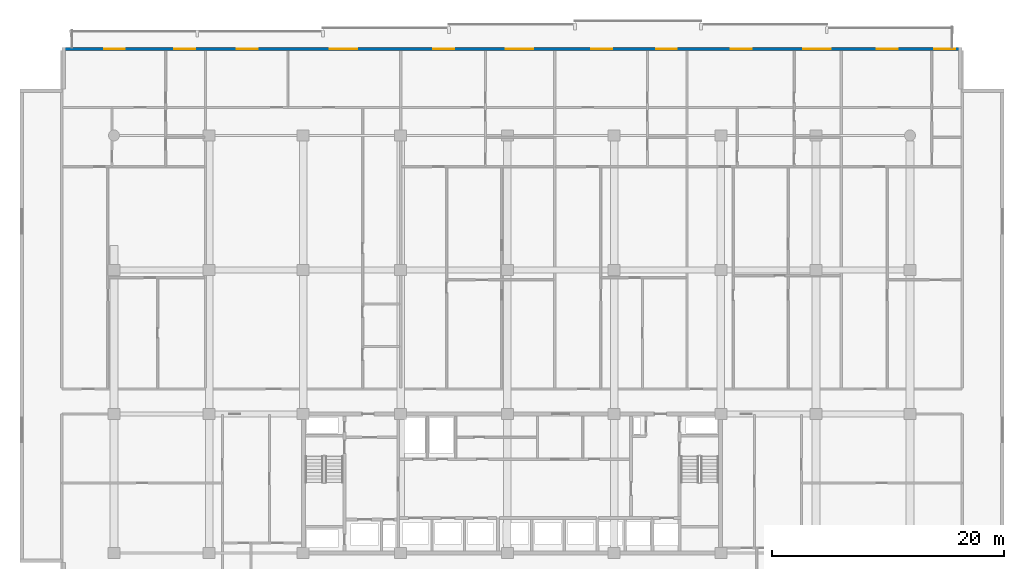
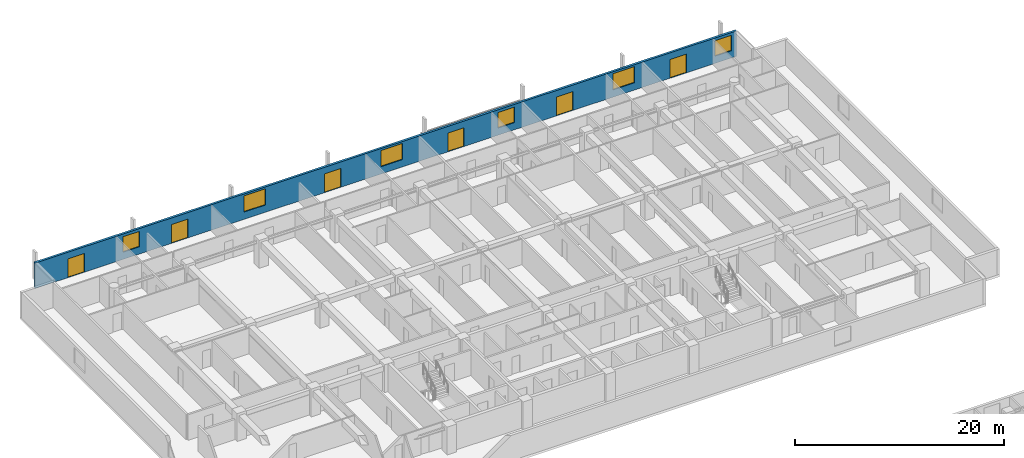
# One storey, part 16 of 23: 6 doors, 6 windows, 1 wall, 12 openings.
"""IFC4 building model written with IfcOpenShell, lengths in metres."""

from ifc_helpers import new_model, si_unit, direction, frame, frame_2d, origin, place, context, subcontext, project, spatial, rectangle, extrude, material, layer, layer_set, type_object, element, fill, save


model = new_model("IFC4")

# Units and contexts
model_context = context("Model", 3, precision=1e-05, world=origin(), true_north=direction((0.0, 1.0)))
body_context = subcontext(model_context, "Body", "Model", "MODEL_VIEW")
ifc_project = project(units=[si_unit("LENGTHUNIT", "METRE"), si_unit("AREAUNIT", "SQUARE_METRE"), si_unit("VOLUMEUNIT", "CUBIC_METRE"), si_unit("PLANEANGLEUNIT", "RADIAN"), si_unit("MASSUNIT", "GRAM", prefix="KILO")], contexts=[model_context])

# Site, building, storey
site_placement = place(None, origin())
site = spatial("IfcSite", under=ifc_project, at=site_placement, CompositionType="ELEMENT")
building_placement = place(site_placement, origin())
building = spatial("IfcBuilding", under=site, at=building_placement, Name="Korimba Cascade Residences", CompositionType="ELEMENT")
storey_placement = place(building_placement, frame((0.0, 0.0, 33.75)))
storey = spatial("IfcBuildingStorey", under=building, at=storey_placement, Name="L08", CompositionType="ELEMENT", Elevation=33.75)

# Wall, openings, doors, windows
ifc_material_1 = material(Name="Precast concrete C40/50", Category="concrete")
ifc_layer = layer(ifc_material_1, 0.25)
ifc_layer_set = layer_set([ifc_layer], Name="Precast concrete C40/50")
wall_type = type_object("IfcWallType", Name="EW-LOG-250", PredefinedType="STANDARD", material=ifc_layer_set)
wall_placement = place(storey_placement, frame((132.89990234375, 98.64990234375, 0.0), z_axis=(0.0, 0.0, 1.0), x_axis=(-1.0, 0.0, 0.0)))
wall = element("IfcWall", 1, at=wall_placement, inside=storey, type_object=wall_type, Name="L08 T1 Perimeter Stone Wall E06", PredefinedType="STANDARD", context=body_context, shape_type="SweptSolid", body=[
    extrude(rectangle(XDim=77.599853515625, YDim=0.25, at=frame_2d((38.7998046875, 0.0))), origin(), (0.0, 0.0, 1.0), 2.969970703125),
])
opening_1_placement = place(wall_placement, frame((72.159912109375, 0.0, 0.0)))
opening_1 = element("IfcOpeningElement", 2, at=opening_1_placement, cuts=wall, Name="Opening D-LG1", PredefinedType="OPENING", context=body_context, shape_type="SweptSolid", body=[
    extrude(rectangle(XDim=1.800048828125, YDim=2.199951171875, at=frame_2d((0.89990234375, 1.10009765625))), frame((0.0, 0.135009765625, 0.0), z_axis=(0.0, -1.0, 0.0), x_axis=(1.0, 0.0, 0.0)), (0.0, 0.0, 1.0), 0.27001953125),
])
opening_2_placement = place(wall_placement, frame((66.08984375, 0.0, 0.85009765625)))
opening_2 = element("IfcOpeningElement", 3, at=opening_2_placement, cuts=wall, Name="Opening W-02", PredefinedType="OPENING", context=body_context, shape_type="SweptSolid", body=[
    extrude(rectangle(XDim=1.800048828125, YDim=1.800048828125, at=frame_2d((0.89990234375, 0.89990234375))), frame((0.0, 0.135009765625, 0.0), z_axis=(0.0, -1.0, 0.0), x_axis=(1.0, 0.0, 0.0)), (0.0, 0.0, 1.0), 0.27001953125),
])
opening_3_placement = place(wall_placement, frame((60.70751953125, 0.0, 0.0)))
opening_3 = element("IfcOpeningElement", 4, at=opening_3_placement, cuts=wall, Name="Opening D-LG1", PredefinedType="OPENING", context=body_context, shape_type="SweptSolid", body=[
    extrude(rectangle(XDim=1.800048828125, YDim=2.199951171875, at=frame_2d((0.89990234375, 1.10009765625))), frame((0.0, 0.135009765625, 0.0), z_axis=(0.0, -1.0, 0.0), x_axis=(1.0, 0.0, 0.0)), (0.0, 0.0, 1.0), 0.27001953125),
])
opening_4_placement = place(wall_placement, frame((52.117919921875, 0.0, 0.85009765625)))
opening_4 = element("IfcOpeningElement", 5, at=opening_4_placement, cuts=wall, Name="Opening W-01", PredefinedType="OPENING", context=body_context, shape_type="SweptSolid", body=[
    extrude(rectangle(XDim=2.39990234375, YDim=1.89990234375, at=frame_2d((1.199951171875, 0.949951171875))), frame((0.0, 0.135009765625, 0.0), z_axis=(0.0, -1.0, 0.0), x_axis=(1.0, 0.0, 0.0)), (0.0, 0.0, 1.0), 0.27001953125),
])
opening_5_placement = place(wall_placement, frame((43.7802734375, 0.0, 0.0)))
opening_5 = element("IfcOpeningElement", 6, at=opening_5_placement, cuts=wall, Name="Opening D-LG1", PredefinedType="OPENING", context=body_context, shape_type="SweptSolid", body=[
    extrude(rectangle(XDim=1.800048828125, YDim=2.199951171875, at=frame_2d((0.89990234375, 1.10009765625))), frame((0.0, 0.135009765625, 0.0), z_axis=(0.0, -1.0, 0.0), x_axis=(1.0, 0.0, 0.0)), (0.0, 0.0, 1.0), 0.27001953125),
])
opening_6_placement = place(wall_placement, frame((36.958984375, 0.0, 0.85009765625)))
opening_6 = element("IfcOpeningElement", 7, at=opening_6_placement, cuts=wall, Name="Opening W-01", PredefinedType="OPENING", context=body_context, shape_type="SweptSolid", body=[
    extrude(rectangle(XDim=2.39990234375, YDim=1.89990234375, at=frame_2d((1.199951171875, 0.949951171875))), frame((0.0, 0.135009765625, 0.0), z_axis=(0.0, -1.0, 0.0), x_axis=(1.0, 0.0, 0.0)), (0.0, 0.0, 1.0), 0.27001953125),
])
opening_7_placement = place(wall_placement, frame((30.165283203125, 0.0, 0.0)))
opening_7 = element("IfcOpeningElement", 8, at=opening_7_placement, cuts=wall, Name="Opening D-LG1", PredefinedType="OPENING", context=body_context, shape_type="SweptSolid", body=[
    extrude(rectangle(XDim=1.800048828125, YDim=2.199951171875, at=frame_2d((0.89990234375, 1.10009765625))), frame((0.0, 0.135009765625, 0.0), z_axis=(0.0, -1.0, 0.0), x_axis=(1.0, 0.0, 0.0)), (0.0, 0.0, 1.0), 0.27001953125),
])
opening_8_placement = place(wall_placement, frame((24.582763671875, 0.0, 0.85009765625)))
opening_8 = element("IfcOpeningElement", 9, at=opening_8_placement, cuts=wall, Name="Opening W-02", PredefinedType="OPENING", context=body_context, shape_type="SweptSolid", body=[
    extrude(rectangle(XDim=1.800048828125, YDim=1.800048828125, at=frame_2d((0.89990234375, 0.89990234375))), frame((0.0, 0.135009765625, 0.0), z_axis=(0.0, -1.0, 0.0), x_axis=(1.0, 0.0, 0.0)), (0.0, 0.0, 1.0), 0.27001953125),
])
opening_9_placement = place(wall_placement, frame((18.136474609375, 0.0, 0.0)))
opening_9 = element("IfcOpeningElement", 10, at=opening_9_placement, cuts=wall, Name="Opening D-LG1", PredefinedType="OPENING", context=body_context, shape_type="SweptSolid", body=[
    extrude(rectangle(XDim=1.800048828125, YDim=2.199951171875, at=frame_2d((0.89990234375, 1.10009765625))), frame((0.0, 0.135009765625, 0.0), z_axis=(0.0, -1.0, 0.0), x_axis=(1.0, 0.0, 0.0)), (0.0, 0.0, 1.0), 0.27001953125),
])
opening_10_placement = place(wall_placement, frame((11.315185546875, 0.0, 0.85009765625)))
opening_10 = element("IfcOpeningElement", 11, at=opening_10_placement, cuts=wall, Name="Opening W-01", PredefinedType="OPENING", context=body_context, shape_type="SweptSolid", body=[
    extrude(rectangle(XDim=2.39990234375, YDim=1.89990234375, at=frame_2d((1.199951171875, 0.949951171875))), frame((0.0, 0.135009765625, 0.0), z_axis=(0.0, -1.0, 0.0), x_axis=(1.0, 0.0, 0.0)), (0.0, 0.0, 1.0), 0.27001953125),
])
opening_11_placement = place(wall_placement, frame((5.565185546875, 0.0, 0.0)))
opening_11 = element("IfcOpeningElement", 12, at=opening_11_placement, cuts=wall, Name="Opening D-LG1", PredefinedType="OPENING", context=body_context, shape_type="SweptSolid", body=[
    extrude(rectangle(XDim=1.800048828125, YDim=2.199951171875, at=frame_2d((0.89990234375, 1.10009765625))), frame((0.0, 0.135009765625, 0.0), z_axis=(0.0, -1.0, 0.0), x_axis=(1.0, 0.0, 0.0)), (0.0, 0.0, 1.0), 0.27001953125),
])
opening_12_placement = place(wall_placement, frame((0.60009765625, 0.0, 0.85009765625)))
opening_12 = element("IfcOpeningElement", 13, at=opening_12_placement, cuts=wall, Name="Opening W-02", PredefinedType="OPENING", context=body_context, shape_type="SweptSolid", body=[
    extrude(rectangle(XDim=1.800048828125, YDim=1.800048828125, at=frame_2d((0.89990234375, 0.89990234375))), frame((0.0, 0.135009765625, 0.0), z_axis=(0.0, -1.0, 0.0), x_axis=(1.0, 0.0, 0.0)), (0.0, 0.0, 1.0), 0.27001953125),
])
ifc_material_2 = material(Name="Glazed Aluminium Loggia Sliding Door", Category="aluminium")
door_type = type_object("IfcDoorType", Name="DR-EXT-LOG", OperationType="NOTDEFINED", PredefinedType="DOOR", material=ifc_material_2)
door_1_placement = place(opening_1_placement, origin())
door_1 = element("IfcDoor", 14, at=door_1_placement, inside=storey, type_object=door_type, Name="L08 T1 Loggia Sliding Door 3", OperationType="SLIDING_TO_LEFT", OverallHeight=2.199951171875, OverallWidth=1.800048828125, PredefinedType="DOOR", context=body_context, shape_type="SweptSolid", body=[
    extrude(rectangle(XDim=1.800048828125, YDim=2.199951171875, at=frame_2d((0.89990234375, 1.10009765625))), frame((0.0, 0.02490234375, 0.0), z_axis=(0.0, -1.0, 0.0), x_axis=(1.0, 0.0, 0.0)), (0.0, 0.0, 1.0), 0.050048828125),
])
fill(opening_1, door_1)
door_2_placement = place(opening_3_placement, origin())
door_2 = element("IfcDoor", 15, at=door_2_placement, inside=storey, type_object=door_type, Name="L08 T1 Loggia Sliding Door 5", OperationType="SLIDING_TO_LEFT", OverallHeight=2.199951171875, OverallWidth=1.800048828125, PredefinedType="DOOR", context=body_context, shape_type="SweptSolid", body=[
    extrude(rectangle(XDim=1.800048828125, YDim=2.199951171875, at=frame_2d((0.89990234375, 1.10009765625))), frame((0.0, 0.02490234375, 0.0), z_axis=(0.0, -1.0, 0.0), x_axis=(1.0, 0.0, 0.0)), (0.0, 0.0, 1.0), 0.050048828125),
])
fill(opening_3, door_2)
door_3_placement = place(opening_5_placement, origin())
door_3 = element("IfcDoor", 16, at=door_3_placement, inside=storey, type_object=door_type, Name="L08 T1 Loggia Sliding Door 7", OperationType="SLIDING_TO_LEFT", OverallHeight=2.199951171875, OverallWidth=1.800048828125, PredefinedType="DOOR", context=body_context, shape_type="SweptSolid", body=[
    extrude(rectangle(XDim=1.800048828125, YDim=2.199951171875, at=frame_2d((0.89990234375, 1.10009765625))), frame((0.0, 0.02490234375, 0.0), z_axis=(0.0, -1.0, 0.0), x_axis=(1.0, 0.0, 0.0)), (0.0, 0.0, 1.0), 0.050048828125),
])
fill(opening_5, door_3)
door_4_placement = place(opening_7_placement, origin())
door_4 = element("IfcDoor", 17, at=door_4_placement, inside=storey, type_object=door_type, Name="L08 T1 Loggia Sliding Door 9", OperationType="SLIDING_TO_LEFT", OverallHeight=2.199951171875, OverallWidth=1.800048828125, PredefinedType="DOOR", context=body_context, shape_type="SweptSolid", body=[
    extrude(rectangle(XDim=1.800048828125, YDim=2.199951171875, at=frame_2d((0.89990234375, 1.10009765625))), frame((0.0, 0.02490234375, 0.0), z_axis=(0.0, -1.0, 0.0), x_axis=(1.0, 0.0, 0.0)), (0.0, 0.0, 1.0), 0.050048828125),
])
fill(opening_7, door_4)
door_5_placement = place(opening_9_placement, origin())
door_5 = element("IfcDoor", 18, at=door_5_placement, inside=storey, type_object=door_type, Name="L08 T1 Loggia Sliding Door 11", OperationType="SLIDING_TO_LEFT", OverallHeight=2.199951171875, OverallWidth=1.800048828125, PredefinedType="DOOR", context=body_context, shape_type="SweptSolid", body=[
    extrude(rectangle(XDim=1.800048828125, YDim=2.199951171875, at=frame_2d((0.89990234375, 1.10009765625))), frame((0.0, 0.02490234375, 0.0), z_axis=(0.0, -1.0, 0.0), x_axis=(1.0, 0.0, 0.0)), (0.0, 0.0, 1.0), 0.050048828125),
])
fill(opening_9, door_5)
door_6_placement = place(opening_11_placement, origin())
door_6 = element("IfcDoor", 19, at=door_6_placement, inside=storey, type_object=door_type, Name="L08 T1 Loggia Sliding Door 13", OperationType="SLIDING_TO_LEFT", OverallHeight=2.199951171875, OverallWidth=1.800048828125, PredefinedType="DOOR", context=body_context, shape_type="SweptSolid", body=[
    extrude(rectangle(XDim=1.800048828125, YDim=2.199951171875, at=frame_2d((0.89990234375, 1.10009765625))), frame((0.0, 0.02490234375, 0.0), z_axis=(0.0, -1.0, 0.0), x_axis=(1.0, 0.0, 0.0)), (0.0, 0.0, 1.0), 0.050048828125),
])
fill(opening_11, door_6)
ifc_material_3 = material(Name="Double-Glazed Aluminium Window", Category="aluminium")
window_type_1 = type_object("IfcWindowType", Name="WIN-BED-1800", PartitioningType="SINGLE_PANEL", PredefinedType="WINDOW", material=ifc_material_3)
window_1_placement = place(opening_2_placement, origin())
window_1 = element("IfcWindow", 20, at=window_1_placement, inside=storey, type_object=window_type_1, Name="L08 T1 North Facade Window 4", OverallHeight=1.800048828125, OverallWidth=1.800048828125, PartitioningType="SINGLE_PANEL", PredefinedType="WINDOW", context=body_context, shape_type="SweptSolid", body=[
    extrude(rectangle(XDim=1.800048828125, YDim=1.800048828125, at=frame_2d((0.89990234375, 0.89990234375))), frame((0.0, 0.030029296875, 0.0), z_axis=(0.0, -1.0, 0.0), x_axis=(1.0, 0.0, 0.0)), (0.0, 0.0, 1.0), 0.06005859375),
])
fill(opening_2, window_1)
window_2_placement = place(opening_8_placement, origin())
window_2 = element("IfcWindow", 21, at=window_2_placement, inside=storey, type_object=window_type_1, Name="L08 T1 North Facade Window 10", OverallHeight=1.800048828125, OverallWidth=1.800048828125, PartitioningType="SINGLE_PANEL", PredefinedType="WINDOW", context=body_context, shape_type="SweptSolid", body=[
    extrude(rectangle(XDim=1.800048828125, YDim=1.800048828125, at=frame_2d((0.89990234375, 0.89990234375))), frame((0.0, 0.030029296875, 0.0), z_axis=(0.0, -1.0, 0.0), x_axis=(1.0, 0.0, 0.0)), (0.0, 0.0, 1.0), 0.06005859375),
])
fill(opening_8, window_2)
window_3_placement = place(opening_12_placement, origin())
window_3 = element("IfcWindow", 22, at=window_3_placement, inside=storey, type_object=window_type_1, Name="L08 T1 North Facade Window 14", OverallHeight=1.800048828125, OverallWidth=1.800048828125, PartitioningType="SINGLE_PANEL", PredefinedType="WINDOW", context=body_context, shape_type="SweptSolid", body=[
    extrude(rectangle(XDim=1.800048828125, YDim=1.800048828125, at=frame_2d((0.89990234375, 0.89990234375))), frame((0.0, 0.030029296875, 0.0), z_axis=(0.0, -1.0, 0.0), x_axis=(1.0, 0.0, 0.0)), (0.0, 0.0, 1.0), 0.06005859375),
])
fill(opening_12, window_3)
window_type_2 = type_object("IfcWindowType", Name="WIN-RES-2400", PartitioningType="DOUBLE_PANEL_VERTICAL", PredefinedType="WINDOW", material=ifc_material_3)
window_4_placement = place(opening_4_placement, origin())
window_4 = element("IfcWindow", 23, at=window_4_placement, inside=storey, type_object=window_type_2, Name="L08 T1 North Facade Window 6", OverallHeight=1.89990234375, OverallWidth=2.39990234375, PartitioningType="DOUBLE_PANEL_VERTICAL", PredefinedType="WINDOW", context=body_context, shape_type="SweptSolid", body=[
    extrude(rectangle(XDim=2.39990234375, YDim=1.89990234375, at=frame_2d((1.199951171875, 0.949951171875))), frame((0.0, 0.030029296875, 0.0), z_axis=(0.0, -1.0, 0.0), x_axis=(1.0, 0.0, 0.0)), (0.0, 0.0, 1.0), 0.06005859375),
])
fill(opening_4, window_4)
window_5_placement = place(opening_6_placement, origin())
window_5 = element("IfcWindow", 24, at=window_5_placement, inside=storey, type_object=window_type_2, Name="L08 T1 North Facade Window 8", OverallHeight=1.89990234375, OverallWidth=2.39990234375, PartitioningType="DOUBLE_PANEL_VERTICAL", PredefinedType="WINDOW", context=body_context, shape_type="SweptSolid", body=[
    extrude(rectangle(XDim=2.39990234375, YDim=1.89990234375, at=frame_2d((1.199951171875, 0.949951171875))), frame((0.0, 0.030029296875, 0.0), z_axis=(0.0, -1.0, 0.0), x_axis=(1.0, 0.0, 0.0)), (0.0, 0.0, 1.0), 0.06005859375),
])
fill(opening_6, window_5)
window_6_placement = place(opening_10_placement, origin())
window_6 = element("IfcWindow", 25, at=window_6_placement, inside=storey, type_object=window_type_2, Name="L08 T1 North Facade Window 12", OverallHeight=1.89990234375, OverallWidth=2.39990234375, PartitioningType="DOUBLE_PANEL_VERTICAL", PredefinedType="WINDOW", context=body_context, shape_type="SweptSolid", body=[
    extrude(rectangle(XDim=2.39990234375, YDim=1.89990234375, at=frame_2d((1.199951171875, 0.949951171875))), frame((0.0, 0.030029296875, 0.0), z_axis=(0.0, -1.0, 0.0), x_axis=(1.0, 0.0, 0.0)), (0.0, 0.0, 1.0), 0.06005859375),
])
fill(opening_10, window_6)

save(model, "model.ifc")
